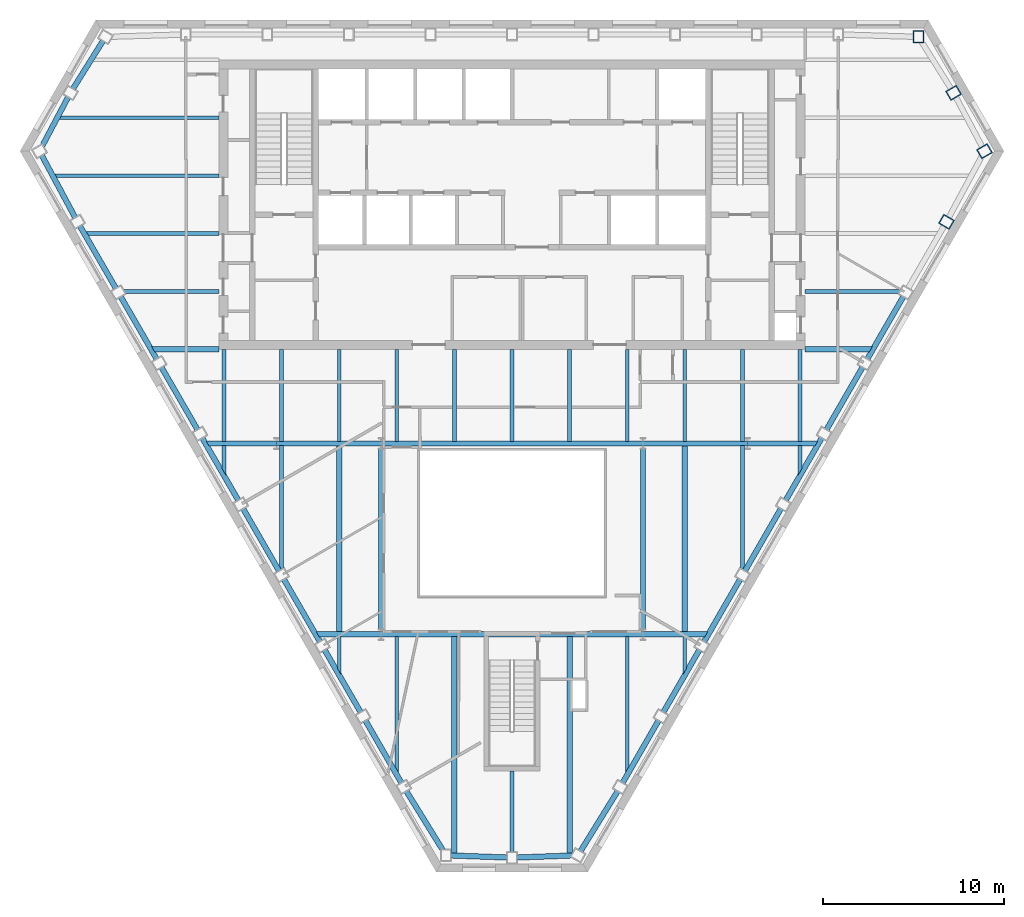
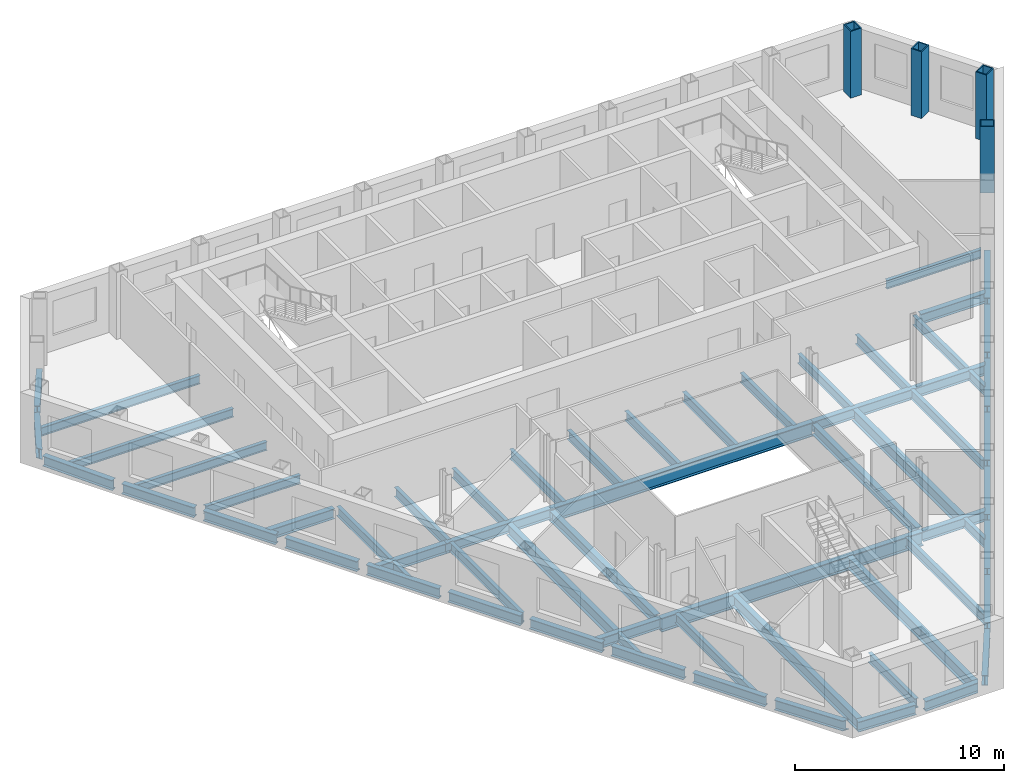
# One storey, part 2 of 10: 63 beams, 4 columns.
"""IFC4 building model written with IfcOpenShell, lengths in metres."""

from ifc_helpers import new_model, si_unit, direction, frame, origin, origin_2d, place, context, subcontext, project, spatial, hollow_rectangle, i_section, extrude, clip, halfspace, material, material_profile, profile_set, type_object, element, save


model = new_model("IFC4")

# Units and contexts
model_context = context("Model", 3, precision=1e-05, world=origin(), true_north=direction((0.0, 1.0)))
body_context = subcontext(model_context, "Body", "Model", "MODEL_VIEW")
ifc_project = project(units=[si_unit("LENGTHUNIT", "METRE"), si_unit("AREAUNIT", "SQUARE_METRE"), si_unit("VOLUMEUNIT", "CUBIC_METRE"), si_unit("PLANEANGLEUNIT", "RADIAN"), si_unit("MASSUNIT", "GRAM", prefix="KILO")], contexts=[model_context])

# Site, building, storey
site_placement = place(None, origin())
site = spatial("IfcSite", under=ifc_project, at=site_placement, CompositionType="ELEMENT")
building_placement = place(site_placement, origin())
building = spatial("IfcBuilding", under=site, at=building_placement, Name="Njiva Tower", CompositionType="ELEMENT")
storey_placement = place(building_placement, frame((0.0, 0.0, 171.0)))
storey = spatial("IfcBuildingStorey", under=building, at=storey_placement, Name="L37", CompositionType="ELEMENT", Elevation=171.0)

# Columns
ifc_material = material(Name="Steel S355 J2", Category="steel")
ifc_material_profile_1 = material_profile(ifc_material, hollow_rectangle(XDim=0.6, YDim=0.7, WallThickness=0.06, at=origin_2d()), Name="BOX 700x600x60")
ifc_profile_set_1 = profile_set([ifc_material_profile_1], Name="Steel S355 J2")
column_type = type_object("IfcColumnType", Name="C9 Perimeter tube column BOX 700x600x60", PredefinedType="COLUMN", material=ifc_profile_set_1)
for number, where, z_axis, x_axis, name in (
    (1, (22.461, 19.267, 0.0), (0.0, 0.0, 1.0), (-1.0, 0.0, 0.0), "Perimeter tube column S12-C01"),
    (2, (24.007, 9.048, 0.0), (0.0, 0.0, 1.0), (0.5, 0.866025403784, 0.0), "Perimeter tube column S12-C34"),
    (3, (26.108, 12.951, 0.0), (0.0, 0.0, 1.0), (-0.5, 0.866025403784, 0.0), "Perimeter tube column S12-C35"),
    (4, (24.4, 16.176, 0.0), (0.0, 0.0, 1.0), (-0.5, 0.866025403784, 0.0), "Perimeter tube column S12-C36"),
):
    element("IfcColumn", number, at=place(storey_placement, frame(where, z_axis=z_axis, x_axis=x_axis)), inside=storey, type_object=column_type, Name=name, PredefinedType="COLUMN", context=body_context, shape_type="SweptSolid", body=[
        extrude(hollow_rectangle(XDim=0.6, YDim=0.7, WallThickness=0.06, at=origin_2d()), origin(), (0.0, 0.0, 1.0), 3.9),
    ])

# Beams
ifc_material_profile_2 = material_profile(ifc_material, i_section(OverallWidth=0.3, OverallDepth=0.69, WebThickness=0.0145, FlangeThickness=0.027, at=origin_2d()), Name="HEA 700")
ifc_profile_set_2 = profile_set([ifc_material_profile_2], Name="Steel S355 J2")
beam_type_1 = type_object("IfcBeamType", Name="B12 Long-span floor joist HEA 700", PredefinedType="JOIST", material=ifc_profile_set_2)
beam_1_placement = place(storey_placement, frame((-9.55, -3.3, -0.545), z_axis=(0.0, -1.0, 0.0), x_axis=(1.0, 0.0, 0.0)))
element("IfcBeam", 5, at=beam_1_placement, inside=storey, type_object=beam_type_1, Name="Long-span floor joist S12-B057", PredefinedType="JOIST", context=body_context, shape_type="SweptSolid", body=[
    extrude(i_section(OverallWidth=0.3, OverallDepth=0.69, WebThickness=0.0145, FlangeThickness=0.027, at=origin_2d()), origin(), (0.0, 0.0, 1.0), 10.35),
])
for number, where, z_axis, x_axis, name in (
    (6, (-3.183, -13.851, -0.545), (0.0, -1.0, 0.0), (1.0, 0.0, 0.0), "Long-span floor joist S12-B061"),
    (7, (3.183, -13.851, -0.545), (0.0, -1.0, 0.0), (1.0, 0.0, 0.0), "Long-span floor joist S12-B066"),
):
    element("IfcBeam", number, at=place(storey_placement, frame(where, z_axis=z_axis, x_axis=x_axis)), inside=storey, type_object=beam_type_1, Name=name, PredefinedType="JOIST", context=body_context, shape_type="SweptSolid", body=[
        extrude(i_section(OverallWidth=0.3, OverallDepth=0.69, WebThickness=0.0145, FlangeThickness=0.027, at=origin_2d()), origin(), (0.0, 0.0, 1.0), 12.016),
    ])
beam_2_placement = place(storey_placement, frame((9.55, -3.3, -0.545), z_axis=(0.0, -1.0, 0.0), x_axis=(1.0, 0.0, 0.0)))
element("IfcBeam", 8, at=beam_2_placement, inside=storey, type_object=beam_type_1, Name="Long-span floor joist S12-B071", PredefinedType="JOIST", context=body_context, shape_type="SweptSolid", body=[
    extrude(i_section(OverallWidth=0.3, OverallDepth=0.69, WebThickness=0.0145, FlangeThickness=0.027, at=origin_2d()), origin(), (0.0, 0.0, 1.0), 10.35),
])
ifc_material_profile_3 = material_profile(ifc_material, i_section(OverallWidth=0.2, OverallDepth=0.5, WebThickness=0.0102, FlangeThickness=0.016, at=origin_2d()), Name="IPE 500")
ifc_profile_set_3 = profile_set([ifc_material_profile_3], Name="Steel S355 J2")
beam_type_2 = type_object("IfcBeamType", Name="B24 Floor beam to the core IPE 500", PredefinedType="BEAM", material=ifc_profile_set_3)
beam_3_placement = place(storey_placement, frame((-21.518, 5.2, -0.45), z_axis=(1.0, 0.0, 0.0), x_axis=(0.0, 1.0, 0.0)))
element("IfcBeam", 9, at=beam_3_placement, inside=storey, type_object=beam_type_2, Name="Floor beam to the core S12-B006", PredefinedType="BEAM", context=body_context, shape_type="Clipping", body=[
    clip(extrude(i_section(OverallWidth=0.2, OverallDepth=0.5, WebThickness=0.0102, FlangeThickness=0.016, at=origin_2d()), origin(), (0.0, 0.0, 1.0), 5.318), halfspace(frame((-0.025, 0.0, 0.0925), z_axis=(-0.499998009787, 0.0, -0.866026552831), x_axis=(0.0, -1.0, 0.0)), False)),
])
beam_4_placement = place(storey_placement, frame((16.2, 5.2, -0.45), z_axis=(1.0, 0.0, 0.0), x_axis=(0.0, 1.0, 0.0)))
element("IfcBeam", 10, at=beam_4_placement, inside=storey, type_object=beam_type_2, Name="Floor beam to the core S12-B007", PredefinedType="BEAM", context=body_context, shape_type="Clipping", body=[
    clip(extrude(i_section(OverallWidth=0.2, OverallDepth=0.5, WebThickness=0.0102, FlangeThickness=0.016, at=origin_2d()), origin(), (0.0, 0.0, 1.0), 5.318), halfspace(frame((-0.025, 0.0, 5.2255), z_axis=(-0.499998009787, 0.0, 0.866026552831), x_axis=(0.0, 1.0, 0.0)), False)),
])
beam_5_placement = place(storey_placement, frame((-23.596, 8.4, -0.45), z_axis=(1.0, 0.0, 0.0), x_axis=(0.0, 1.0, 0.0)))
element("IfcBeam", 11, at=beam_5_placement, inside=storey, type_object=beam_type_2, Name="Floor beam to the core S12-B003", PredefinedType="BEAM", context=body_context, shape_type="Clipping", body=[
    clip(extrude(i_section(OverallWidth=0.2, OverallDepth=0.5, WebThickness=0.0102, FlangeThickness=0.016, at=origin_2d()), origin(), (0.0, 0.0, 1.0), 7.396), halfspace(frame((-0.025, 0.0, 0.0924), z_axis=(-0.499998009787, 0.0, -0.866026552831), x_axis=(0.0, -1.0, 0.0)), False)),
])
beam_6_placement = place(storey_placement, frame((-25.341, 11.6, -0.45), z_axis=(1.0, 0.0, 0.0), x_axis=(0.0, 1.0, 0.0)))
element("IfcBeam", 12, at=beam_6_placement, inside=storey, type_object=beam_type_2, Name="Floor beam to the core S12-B001", PredefinedType="BEAM", context=body_context, shape_type="Clipping", body=[
    clip(extrude(i_section(OverallWidth=0.2, OverallDepth=0.5, WebThickness=0.0102, FlangeThickness=0.016, at=origin_2d()), origin(), (0.0, 0.0, 1.0), 9.141), halfspace(frame((-0.0237, 0.0, 0.0868), z_axis=(-0.473769423091, 0.0, -0.880648927634), x_axis=(0.0, -1.0, 0.0)), False)),
])
beam_7_placement = place(storey_placement, frame((-25.088, 14.8, -0.45), z_axis=(1.0, 0.0, 0.0), x_axis=(0.0, 1.0, 0.0)))
element("IfcBeam", 13, at=beam_7_placement, inside=storey, type_object=beam_type_2, Name="Floor beam to the core S12-B002", PredefinedType="BEAM", context=body_context, shape_type="Clipping", body=[
    clip(extrude(i_section(OverallWidth=0.2, OverallDepth=0.5, WebThickness=0.0102, FlangeThickness=0.016, at=origin_2d()), origin(), (0.0, 0.0, 1.0), 8.888), halfspace(frame((0.0234, 0.0, 0.0852), z_axis=(0.468070575493, 0.0, -0.883691086499), x_axis=(0.0, -1.0, 0.0)), False)),
])
ifc_material_profile_4 = material_profile(ifc_material, i_section(OverallWidth=0.3, OverallDepth=0.59, WebThickness=0.013, FlangeThickness=0.025, at=origin_2d()), Name="HEA 600")
ifc_profile_set_4 = profile_set([ifc_material_profile_4], Name="Steel S355 J2")
beam_type_3 = type_object("IfcBeamType", Name="B27 Short-span spandrel beam HEA 600", PredefinedType="SPANDREL", material=ifc_profile_set_4)
beam_8_placement = place(storey_placement, frame((-22.597, 19.051, -0.495), z_axis=(-0.531172745226, -0.847263545025, 0.0), x_axis=(0.847263545025, -0.531172745226, 0.0)))
element("IfcBeam", 14, at=beam_8_placement, inside=storey, type_object=beam_type_3, Name="Short-span spandrel beam S12-B090", PredefinedType="SPANDREL", context=body_context, shape_type="SweptSolid", body=[
    extrude(i_section(OverallWidth=0.3, OverallDepth=0.59, WebThickness=0.013, FlangeThickness=0.025, at=origin_2d()), origin(), (0.0, 0.0, 1.0), 3.1383),
])
beam_9_placement = place(storey_placement, frame((-24.519, 15.951, -0.495), z_axis=(-0.468008604857, -0.883723908118, 0.0), x_axis=(0.883723908118, -0.468008604857, 0.0)))
element("IfcBeam", 15, at=beam_9_placement, inside=storey, type_object=beam_type_3, Name="Short-span spandrel beam S12-B087", PredefinedType="SPANDREL", context=body_context, shape_type="Clipping", body=[
    clip(extrude(i_section(OverallWidth=0.3, OverallDepth=0.59, WebThickness=0.013, FlangeThickness=0.025, at=origin_2d()), origin(), (0.0, 0.0, 1.0), 3.1545), halfspace(frame((-0.0265, 0.0, 3.0243), z_axis=(-0.53132499881, 0.0, 0.84716807402), x_axis=(0.0, 1.0, 0.0)), False)),
])
beam_10_placement = place(storey_placement, frame((-25.987, 12.728, -0.495), z_axis=(0.473613588101, -0.880732745597, 0.0), x_axis=(0.880732745597, 0.473613588101, 0.0)))
element("IfcBeam", 16, at=beam_10_placement, inside=storey, type_object=beam_type_3, Name="Short-span spandrel beam S12-B086", PredefinedType="SPANDREL", context=body_context, shape_type="SweptSolid", body=[
    extrude(i_section(OverallWidth=0.3, OverallDepth=0.59, WebThickness=0.013, FlangeThickness=0.025, at=origin_2d()), origin(), (0.0, 0.0, 1.0), 3.9251),
])
beam_11_placement = place(storey_placement, frame((-23.882, 8.831, -0.495), z_axis=(0.499924104568, -0.866069217599, 0.0), x_axis=(0.866069217599, 0.499924104568, 0.0)))
element("IfcBeam", 17, at=beam_11_placement, inside=storey, type_object=beam_type_3, Name="Short-span spandrel beam S12-B091", PredefinedType="SPANDREL", context=body_context, shape_type="SweptSolid", body=[
    extrude(i_section(OverallWidth=0.3, OverallDepth=0.59, WebThickness=0.013, FlangeThickness=0.025, at=origin_2d()), origin(), (0.0, 0.0, 1.0), 4.0066),
])
for number, where, z_axis, x_axis, name in (
    (18, (-21.629, 4.928, -0.495), (0.500003221507, -0.866023543838, 0.0), (0.866023543838, 0.500003221507, 0.0), "Short-span spandrel beam S12-B095"),
    (19, (-19.375, 1.024, -0.495), (0.500003221507, -0.866023543838, 0.0), (0.866023543838, 0.500003221507, 0.0), "Short-span spandrel beam S12-B097"),
    (20, (-17.121, -2.88, -0.495), (0.500003221507, -0.866023543838, 0.0), (0.866023543838, 0.500003221507, 0.0), "Short-span spandrel beam S12-B100"),
    (21, (-14.867, -6.784, -0.495), (0.500003221507, -0.866023543838, 0.0), (0.866023543838, 0.500003221507, 0.0), "Short-span spandrel beam S12-B102"),
):
    element("IfcBeam", number, at=place(storey_placement, frame(where, z_axis=z_axis, x_axis=x_axis)), inside=storey, type_object=beam_type_3, Name=name, PredefinedType="SPANDREL", context=body_context, shape_type="SweptSolid", body=[
        extrude(i_section(OverallWidth=0.3, OverallDepth=0.59, WebThickness=0.013, FlangeThickness=0.025, at=origin_2d()), origin(), (0.0, 0.0, 1.0), 4.008),
    ])
beam_12_placement = place(storey_placement, frame((-12.613, -10.688, -0.495), z_axis=(0.499924104568, -0.866069217599, 0.0), x_axis=(0.866069217599, 0.499924104568, 0.0)))
element("IfcBeam", 22, at=beam_12_placement, inside=storey, type_object=beam_type_3, Name="Short-span spandrel beam S12-B105", PredefinedType="SPANDREL", context=body_context, shape_type="SweptSolid", body=[
    extrude(i_section(OverallWidth=0.3, OverallDepth=0.59, WebThickness=0.013, FlangeThickness=0.025, at=origin_2d()), origin(), (0.0, 0.0, 1.0), 4.0066),
])
beam_13_placement = place(storey_placement, frame((-10.36, -14.591, -0.495), z_axis=(0.500003221507, -0.866023543838, 0.0), x_axis=(0.866023543838, 0.500003221507, 0.0)))
element("IfcBeam", 23, at=beam_13_placement, inside=storey, type_object=beam_type_3, Name="Short-span spandrel beam S12-B107", PredefinedType="SPANDREL", context=body_context, shape_type="SweptSolid", body=[
    extrude(i_section(OverallWidth=0.3, OverallDepth=0.59, WebThickness=0.013, FlangeThickness=0.025, at=origin_2d()), origin(), (0.0, 0.0, 1.0), 4.008),
])
beam_14_placement = place(storey_placement, frame((-8.106, -18.494, -0.495), z_axis=(0.499895202697, -0.866085900082, 0.0), x_axis=(0.866085900082, 0.499895202697, 0.0)))
element("IfcBeam", 24, at=beam_14_placement, inside=storey, type_object=beam_type_3, Name="Short-span spandrel beam S12-B111", PredefinedType="SPANDREL", context=body_context, shape_type="SweptSolid", body=[
    extrude(i_section(OverallWidth=0.3, OverallDepth=0.59, WebThickness=0.013, FlangeThickness=0.025, at=origin_2d()), origin(), (0.0, 0.0, 1.0), 4.0088),
])
beam_15_placement = place(storey_placement, frame((-5.844, -22.398, -0.495), z_axis=(0.525787720345, -0.850615819941, 0.0), x_axis=(0.850615819941, 0.525787720345, 0.0)))
element("IfcBeam", 25, at=beam_15_placement, inside=storey, type_object=beam_type_3, Name="Short-span spandrel beam S12-B113", PredefinedType="SPANDREL", context=body_context, shape_type="Clipping", body=[
    clip(extrude(i_section(OverallWidth=0.3, OverallDepth=0.59, WebThickness=0.013, FlangeThickness=0.025, at=origin_2d()), origin(), (0.0, 0.0, 1.0), 3.9396), halfspace(frame((-0.0259, 0.0, 3.8107), z_axis=(-0.525787720345, 0.0, 0.850615819941), x_axis=(0.0, 1.0, 0.0)), False)),
])
beam_16_placement = place(storey_placement, frame((-3.391, -25.962, -0.495), z_axis=(0.999328299253, -0.036646286484, 0.0), x_axis=(0.036646286484, 0.999328299253, 0.0)))
element("IfcBeam", 26, at=beam_16_placement, inside=storey, type_object=beam_type_3, Name="Short-span spandrel beam S12-B117", PredefinedType="SPANDREL", context=body_context, shape_type="SweptSolid", body=[
    extrude(i_section(OverallWidth=0.3, OverallDepth=0.59, WebThickness=0.013, FlangeThickness=0.025, at=origin_2d()), origin(), (0.0, 0.0, 1.0), 3.1381),
])
beam_17_placement = place(storey_placement, frame((0.255, -26.077, -0.495), z_axis=(0.999332745469, 0.036524838573, 0.0), x_axis=(-0.036524838573, 0.999332745469, 0.0)))
element("IfcBeam", 27, at=beam_17_placement, inside=storey, type_object=beam_type_3, Name="Short-span spandrel beam S12-B118", PredefinedType="SPANDREL", context=body_context, shape_type="Clipping", body=[
    clip(extrude(i_section(OverallWidth=0.3, OverallDepth=0.59, WebThickness=0.013, FlangeThickness=0.025, at=origin_2d()), origin(), (0.0, 0.0, 1.0), 3.153), halfspace(frame((-0.0262, 0.0, 3.0227), z_axis=(-0.531295863892, 0.0, 0.847186346096), x_axis=(0.0, 1.0, 0.0)), False)),
])
beam_18_placement = place(storey_placement, frame((3.78, -25.737, -0.495), z_axis=(0.525801990436, 0.850606999062, 0.0), x_axis=(-0.850606999062, 0.525801990436, 0.0)))
element("IfcBeam", 28, at=beam_18_placement, inside=storey, type_object=beam_type_3, Name="Short-span spandrel beam S12-B122", PredefinedType="SPANDREL", context=body_context, shape_type="SweptSolid", body=[
    extrude(i_section(OverallWidth=0.3, OverallDepth=0.59, WebThickness=0.013, FlangeThickness=0.025, at=origin_2d()), origin(), (0.0, 0.0, 1.0), 3.9254),
])
beam_19_placement = place(storey_placement, frame((6.102, -21.966, -0.495), z_axis=(0.499895202697, 0.866085900082, 0.0), x_axis=(-0.866085900082, 0.499895202697, 0.0)))
element("IfcBeam", 29, at=beam_19_placement, inside=storey, type_object=beam_type_3, Name="Short-span spandrel beam S12-B126", PredefinedType="SPANDREL", context=body_context, shape_type="SweptSolid", body=[
    extrude(i_section(OverallWidth=0.3, OverallDepth=0.59, WebThickness=0.013, FlangeThickness=0.025, at=origin_2d()), origin(), (0.0, 0.0, 1.0), 4.0088),
])
beam_20_placement = place(storey_placement, frame((8.356, -18.062, -0.495), z_axis=(0.500003221507, 0.866023543838, 0.0), x_axis=(-0.866023543838, 0.500003221507, 0.0)))
element("IfcBeam", 30, at=beam_20_placement, inside=storey, type_object=beam_type_3, Name="Short-span spandrel beam S12-B128", PredefinedType="SPANDREL", context=body_context, shape_type="SweptSolid", body=[
    extrude(i_section(OverallWidth=0.3, OverallDepth=0.59, WebThickness=0.013, FlangeThickness=0.025, at=origin_2d()), origin(), (0.0, 0.0, 1.0), 4.008),
])
beam_21_placement = place(storey_placement, frame((10.61, -14.158, -0.495), z_axis=(0.499924104568, 0.866069217599, 0.0), x_axis=(-0.866069217599, 0.499924104568, 0.0)))
element("IfcBeam", 31, at=beam_21_placement, inside=storey, type_object=beam_type_3, Name="Short-span spandrel beam S12-B131", PredefinedType="SPANDREL", context=body_context, shape_type="SweptSolid", body=[
    extrude(i_section(OverallWidth=0.3, OverallDepth=0.59, WebThickness=0.013, FlangeThickness=0.025, at=origin_2d()), origin(), (0.0, 0.0, 1.0), 4.0066),
])
for number, where, z_axis, x_axis, name in (
    (32, (12.863, -10.255, -0.495), (0.500003221507, 0.866023543838, 0.0), (-0.866023543838, 0.500003221507, 0.0), "Short-span spandrel beam S12-B133"),
    (33, (15.117, -6.351, -0.495), (0.500003221507, 0.866023543838, 0.0), (-0.866023543838, 0.500003221507, 0.0), "Short-span spandrel beam S12-B136"),
    (34, (17.371, -2.447, -0.495), (0.500003221507, 0.866023543838, 0.0), (-0.866023543838, 0.500003221507, 0.0), "Short-span spandrel beam S12-B138"),
    (35, (19.625, 1.457, -0.495), (0.500003221507, 0.866023543838, 0.0), (-0.866023543838, 0.500003221507, 0.0), "Short-span spandrel beam S12-B142"),
):
    element("IfcBeam", number, at=place(storey_placement, frame(where, z_axis=z_axis, x_axis=x_axis)), inside=storey, type_object=beam_type_3, Name=name, PredefinedType="SPANDREL", context=body_context, shape_type="SweptSolid", body=[
        extrude(i_section(OverallWidth=0.3, OverallDepth=0.59, WebThickness=0.013, FlangeThickness=0.025, at=origin_2d()), origin(), (0.0, 0.0, 1.0), 4.008),
    ])
ifc_material_profile_5 = material_profile(ifc_material, i_section(OverallWidth=0.3, OverallDepth=0.59, WebThickness=0.013, FlangeThickness=0.025, at=origin_2d()), Name="HEA 600")
ifc_profile_set_5 = profile_set([ifc_material_profile_5], Name="Steel S355 J2")
beam_type_4 = type_object("IfcBeamType", Name="B28 Floor girder HEA 600", PredefinedType="BEAM", material=ifc_profile_set_5)
for number, where, z_axis, x_axis, name in (
    (36, (-13.0, -3.2, -0.495), (1.0, 0.0, 0.0), (0.0, 1.0, 0.0), "Floor girder S12-B015"),
    (37, (7.24, -3.2, -0.495), (1.0, 0.0, 0.0), (0.0, 1.0, 0.0), "Floor girder S12-B018"),
):
    element("IfcBeam", number, at=place(storey_placement, frame(where, z_axis=z_axis, x_axis=x_axis)), inside=storey, type_object=beam_type_4, Name=name, PredefinedType="BEAM", context=body_context, shape_type="SweptSolid", body=[
        extrude(i_section(OverallWidth=0.3, OverallDepth=0.59, WebThickness=0.013, FlangeThickness=0.025, at=origin_2d()), origin(), (0.0, 0.0, 1.0), 5.76),
    ])
ifc_material_profile_6 = material_profile(ifc_material, i_section(OverallWidth=0.3, OverallDepth=0.59, WebThickness=0.013, FlangeThickness=0.025, at=origin_2d()), Name="HEA 600")
ifc_profile_set_6 = profile_set([ifc_material_profile_6], Name="Steel S355 J2")
beam_type_5 = type_object("IfcBeamType", Name="B29 Short-span floor girder HEA 600", PredefinedType="BEAM", material=ifc_profile_set_6)
beam_22_placement = place(storey_placement, frame((-16.928, -3.2, -0.495), z_axis=(1.0, 0.0, 0.0), x_axis=(0.0, 1.0, 0.0)))
element("IfcBeam", 38, at=beam_22_placement, inside=storey, type_object=beam_type_5, Name="Short-span floor girder S12-B014", PredefinedType="BEAM", context=body_context, shape_type="Clipping", body=[
    clip(extrude(i_section(OverallWidth=0.3, OverallDepth=0.59, WebThickness=0.013, FlangeThickness=0.025, at=origin_2d()), origin(), (0.0, 0.0, 1.0), 3.928), halfspace(frame((-0.025, 0.0, 0.1217), z_axis=(-0.499998009787, 0.0, -0.866026552831), x_axis=(0.0, -1.0, 0.0)), False)),
])
beam_23_placement = place(storey_placement, frame((13.0, -3.2, -0.495), z_axis=(1.0, 0.0, 0.0), x_axis=(0.0, 1.0, 0.0)))
element("IfcBeam", 39, at=beam_23_placement, inside=storey, type_object=beam_type_5, Name="Short-span floor girder S12-B019", PredefinedType="BEAM", context=body_context, shape_type="Clipping", body=[
    clip(extrude(i_section(OverallWidth=0.3, OverallDepth=0.59, WebThickness=0.013, FlangeThickness=0.025, at=origin_2d()), origin(), (0.0, 0.0, 1.0), 3.928), halfspace(frame((-0.025, 0.0, 3.8063), z_axis=(-0.499998009787, 0.0, 0.866026552831), x_axis=(0.0, 1.0, 0.0)), False)),
])
beam_24_placement = place(storey_placement, frame((-10.837, -13.75, -0.495), z_axis=(1.0, 0.0, 0.0), x_axis=(0.0, 1.0, 0.0)))
element("IfcBeam", 40, at=beam_24_placement, inside=storey, type_object=beam_type_5, Name="Short-span floor girder S12-B016", PredefinedType="BEAM", context=body_context, shape_type="Clipping", body=[
    clip(extrude(i_section(OverallWidth=0.3, OverallDepth=0.59, WebThickness=0.013, FlangeThickness=0.025, at=origin_2d()), origin(), (0.0, 0.0, 1.0), 3.597), halfspace(frame((-0.025, 0.0, 0.1217), z_axis=(-0.499998009787, 0.0, -0.866026552831), x_axis=(0.0, -1.0, 0.0)), False)),
])
beam_25_placement = place(storey_placement, frame((7.24, -13.75, -0.495), z_axis=(1.0, 0.0, 0.0), x_axis=(0.0, 1.0, 0.0)))
element("IfcBeam", 41, at=beam_25_placement, inside=storey, type_object=beam_type_5, Name="Short-span floor girder S12-B017", PredefinedType="BEAM", context=body_context, shape_type="Clipping", body=[
    clip(extrude(i_section(OverallWidth=0.3, OverallDepth=0.59, WebThickness=0.013, FlangeThickness=0.025, at=origin_2d()), origin(), (0.0, 0.0, 1.0), 3.597), halfspace(frame((-0.025, 0.0, 3.4753), z_axis=(-0.499998009787, 0.0, 0.866026552831), x_axis=(0.0, 1.0, 0.0)), False)),
])
beam_26_placement = place(storey_placement, frame((-19.93, 2.0, -0.495), z_axis=(1.0, 0.0, 0.0), x_axis=(0.0, 1.0, 0.0)))
element("IfcBeam", 42, at=beam_26_placement, inside=storey, type_object=beam_type_5, Name="Short-span floor girder S12-B013", PredefinedType="BEAM", context=body_context, shape_type="Clipping", body=[
    clip(extrude(i_section(OverallWidth=0.3, OverallDepth=0.59, WebThickness=0.013, FlangeThickness=0.025, at=origin_2d()), origin(), (0.0, 0.0, 1.0), 3.73), halfspace(frame((-0.025, 0.0, 0.1214), z_axis=(-0.499998009787, 0.0, -0.866026552831), x_axis=(0.0, -1.0, 0.0)), False)),
])
beam_27_placement = place(storey_placement, frame((16.2, 2.0, -0.495), z_axis=(1.0, 0.0, 0.0), x_axis=(0.0, 1.0, 0.0)))
element("IfcBeam", 43, at=beam_27_placement, inside=storey, type_object=beam_type_5, Name="Short-span floor girder S12-B020", PredefinedType="BEAM", context=body_context, shape_type="Clipping", body=[
    clip(extrude(i_section(OverallWidth=0.3, OverallDepth=0.59, WebThickness=0.013, FlangeThickness=0.025, at=origin_2d()), origin(), (0.0, 0.0, 1.0), 3.73), halfspace(frame((-0.025, 0.0, 3.6086), z_axis=(-0.499998009787, 0.0, 0.866026552831), x_axis=(0.0, 1.0, 0.0)), False)),
])
ifc_material_profile_7 = material_profile(ifc_material, i_section(OverallWidth=0.3, OverallDepth=0.59, WebThickness=0.013, FlangeThickness=0.025, at=origin_2d()), Name="HEA 600")
ifc_profile_set_7 = profile_set([ifc_material_profile_7], Name="Steel S355 J2")
beam_type_6 = type_object("IfcBeamType", Name="B30 Long-span atrium trimmer beam HEA 600", PredefinedType="BEAM", material=ifc_profile_set_7)
for number, where, z_axis, x_axis, name in (
    (44, (7.24, -13.49, -0.495), (0.0, 1.0, 0.0), (-1.0, 0.0, 0.0), "Long-span atrium trimmer beam S12-B084"),
    (45, (-7.24, -3.46, -0.495), (0.0, -1.0, 0.0), (1.0, 0.0, 0.0), "Long-span atrium trimmer beam S12-B081"),
):
    element("IfcBeam", number, at=place(storey_placement, frame(where, z_axis=z_axis, x_axis=x_axis)), inside=storey, type_object=beam_type_6, Name=name, PredefinedType="BEAM", context=body_context, shape_type="SweptSolid", body=[
        extrude(i_section(OverallWidth=0.3, OverallDepth=0.59, WebThickness=0.013, FlangeThickness=0.025, at=origin_2d()), origin(), (0.0, 0.0, 1.0), 10.03),
    ])
ifc_material_profile_8 = material_profile(ifc_material, i_section(OverallWidth=0.21, OverallDepth=0.55, WebThickness=0.0111, FlangeThickness=0.0172, at=origin_2d()), Name="IPE 550")
ifc_profile_set_8 = profile_set([ifc_material_profile_8], Name="Steel S355 J2")
beam_type_7 = type_object("IfcBeamType", Name="B31 Short-span floor joist IPE 550", PredefinedType="JOIST", material=ifc_profile_set_8)
beam_28_placement = place(storey_placement, frame((-15.917, -3.3, -0.475), z_axis=(0.0, -1.0, 0.0), x_axis=(1.0, 0.0, 0.0)))
element("IfcBeam", 46, at=beam_28_placement, inside=storey, type_object=beam_type_7, Name="Short-span floor joist S12-B051", PredefinedType="JOIST", context=body_context, shape_type="Clipping", body=[
    clip(extrude(i_section(OverallWidth=0.21, OverallDepth=0.55, WebThickness=0.0111, FlangeThickness=0.0172, at=origin_2d()), origin(), (0.0, 0.0, 1.0), 1.668), halfspace(frame((-0.043, 0.0, 1.391), z_axis=(-0.866026552831, 0.0, 0.499998009787), x_axis=(0.0, 1.0, 0.0)), False)),
])
beam_29_placement = place(storey_placement, frame((-9.55, -13.85, -0.475), z_axis=(0.0, -1.0, 0.0), x_axis=(1.0, 0.0, 0.0)))
element("IfcBeam", 47, at=beam_29_placement, inside=storey, type_object=beam_type_7, Name="Short-span floor joist S12-B056", PredefinedType="JOIST", context=body_context, shape_type="Clipping", body=[
    clip(extrude(i_section(OverallWidth=0.21, OverallDepth=0.55, WebThickness=0.0111, FlangeThickness=0.0172, at=origin_2d()), origin(), (0.0, 0.0, 1.0), 2.145), halfspace(frame((-0.0433, 0.0, 1.8683), z_axis=(-0.866026552831, 0.0, 0.499998009787), x_axis=(0.0, 1.0, 0.0)), False)),
])
beam_30_placement = place(storey_placement, frame((0.0, -21.3, -0.475), z_axis=(0.0, -1.0, 0.0), x_axis=(1.0, 0.0, 0.0)))
element("IfcBeam", 48, at=beam_30_placement, inside=storey, type_object=beam_type_7, Name="Short-span floor joist S12-B064", PredefinedType="JOIST", context=body_context, shape_type="SweptSolid", body=[
    extrude(i_section(OverallWidth=0.21, OverallDepth=0.55, WebThickness=0.0111, FlangeThickness=0.0172, at=origin_2d()), origin(), (0.0, 0.0, 1.0), 4.486),
])
beam_31_placement = place(storey_placement, frame((9.55, -13.85, -0.475), z_axis=(0.0, -1.0, 0.0), x_axis=(1.0, 0.0, 0.0)))
element("IfcBeam", 49, at=beam_31_placement, inside=storey, type_object=beam_type_7, Name="Short-span floor joist S12-B070", PredefinedType="JOIST", context=body_context, shape_type="Clipping", body=[
    clip(extrude(i_section(OverallWidth=0.21, OverallDepth=0.55, WebThickness=0.0111, FlangeThickness=0.0172, at=origin_2d()), origin(), (0.0, 0.0, 1.0), 2.145), halfspace(frame((0.0433, 0.0, 1.8683), z_axis=(0.866026552831, 0.0, 0.499998009787), x_axis=(0.0, 1.0, 0.0)), False)),
])
beam_32_placement = place(storey_placement, frame((15.917, -3.3, -0.475), z_axis=(0.0, -1.0, 0.0), x_axis=(1.0, 0.0, 0.0)))
element("IfcBeam", 50, at=beam_32_placement, inside=storey, type_object=beam_type_7, Name="Short-span floor joist S12-B076", PredefinedType="JOIST", context=body_context, shape_type="Clipping", body=[
    clip(extrude(i_section(OverallWidth=0.21, OverallDepth=0.55, WebThickness=0.0111, FlangeThickness=0.0172, at=origin_2d()), origin(), (0.0, 0.0, 1.0), 1.668), halfspace(frame((0.043, 0.0, 1.391), z_axis=(0.866026552831, 0.0, 0.499998009787), x_axis=(0.0, 1.0, 0.0)), False)),
])
ifc_material_profile_9 = material_profile(ifc_material, i_section(OverallWidth=0.21, OverallDepth=0.55, WebThickness=0.0111, FlangeThickness=0.0172, at=origin_2d()), Name="IPE 550")
ifc_profile_set_9 = profile_set([ifc_material_profile_9], Name="Steel S355 J2")
beam_type_8 = type_object("IfcBeamType", Name="B32 Floor joist IPE 550", PredefinedType="JOIST", material=ifc_profile_set_9)
for number, where, z_axis, x_axis, name in (
    (51, (-15.917, 1.995, -0.475), (0.0, -1.0, 0.0), (1.0, 0.0, 0.0), "Floor joist S12-B052"),
    (52, (-12.733, 1.995, -0.475), (0.0, -1.0, 0.0), (1.0, 0.0, 0.0), "Floor joist S12-B055"),
):
    element("IfcBeam", number, at=place(storey_placement, frame(where, z_axis=z_axis, x_axis=x_axis)), inside=storey, type_object=beam_type_8, Name=name, PredefinedType="JOIST", context=body_context, shape_type="SweptSolid", body=[
        extrude(i_section(OverallWidth=0.21, OverallDepth=0.55, WebThickness=0.0111, FlangeThickness=0.0172, at=origin_2d()), origin(), (0.0, 0.0, 1.0), 5.095),
    ])
beam_33_placement = place(storey_placement, frame((-12.733, -3.3, -0.475), z_axis=(0.0, -1.0, 0.0), x_axis=(1.0, 0.0, 0.0)))
element("IfcBeam", 53, at=beam_33_placement, inside=storey, type_object=beam_type_8, Name="Floor joist S12-B054", PredefinedType="JOIST", context=body_context, shape_type="Clipping", body=[
    clip(extrude(i_section(OverallWidth=0.21, OverallDepth=0.55, WebThickness=0.0111, FlangeThickness=0.0172, at=origin_2d()), origin(), (0.0, 0.0, 1.0), 6.961), halfspace(frame((0.0247, 0.0, 6.8652), z_axis=(0.499998009787, 0.0, 0.866026552831), x_axis=(0.0, 1.0, 0.0)), False)),
])
beam_34_placement = place(storey_placement, frame((-9.55, 1.995, -0.475), z_axis=(0.0, -1.0, 0.0), x_axis=(1.0, 0.0, 0.0)))
element("IfcBeam", 54, at=beam_34_placement, inside=storey, type_object=beam_type_8, Name="Floor joist S12-B058", PredefinedType="JOIST", context=body_context, shape_type="SweptSolid", body=[
    extrude(i_section(OverallWidth=0.21, OverallDepth=0.55, WebThickness=0.0111, FlangeThickness=0.0172, at=origin_2d()), origin(), (0.0, 0.0, 1.0), 5.095),
])
beam_35_placement = place(storey_placement, frame((-6.367, 1.995, -0.475), z_axis=(0.0, -1.0, 0.0), x_axis=(1.0, 0.0, 0.0)))
element("IfcBeam", 55, at=beam_35_placement, inside=storey, type_object=beam_type_8, Name="Floor joist S12-B060", PredefinedType="JOIST", context=body_context, shape_type="SweptSolid", body=[
    extrude(i_section(OverallWidth=0.21, OverallDepth=0.55, WebThickness=0.0111, FlangeThickness=0.0172, at=origin_2d()), origin(), (0.0, 0.0, 1.0), 5.094),
])
beam_36_placement = place(storey_placement, frame((-6.367, -13.851, -0.475), z_axis=(0.0, -1.0, 0.0), x_axis=(1.0, 0.0, 0.0)))
element("IfcBeam", 56, at=beam_36_placement, inside=storey, type_object=beam_type_8, Name="Floor joist S12-B059", PredefinedType="JOIST", context=body_context, shape_type="Clipping", body=[
    clip(extrude(i_section(OverallWidth=0.21, OverallDepth=0.55, WebThickness=0.0111, FlangeThickness=0.0172, at=origin_2d()), origin(), (0.0, 0.0, 1.0), 7.658), halfspace(frame((-0.043, 0.0, 7.381), z_axis=(-0.866026552831, 0.0, 0.499998009787), x_axis=(0.0, 1.0, 0.0)), False)),
])
for number, where, z_axis, x_axis, name in (
    (57, (-3.183, 1.995, -0.475), (0.0, -1.0, 0.0), (1.0, 0.0, 0.0), "Floor joist S12-B062"),
    (58, (0.0, 1.995, -0.475), (0.0, -1.0, 0.0), (1.0, 0.0, 0.0), "Floor joist S12-B065"),
    (59, (3.183, 1.995, -0.475), (0.0, -1.0, 0.0), (1.0, 0.0, 0.0), "Floor joist S12-B067"),
    (60, (6.367, 1.995, -0.475), (0.0, -1.0, 0.0), (1.0, 0.0, 0.0), "Floor joist S12-B069"),
):
    element("IfcBeam", number, at=place(storey_placement, frame(where, z_axis=z_axis, x_axis=x_axis)), inside=storey, type_object=beam_type_8, Name=name, PredefinedType="JOIST", context=body_context, shape_type="SweptSolid", body=[
        extrude(i_section(OverallWidth=0.21, OverallDepth=0.55, WebThickness=0.0111, FlangeThickness=0.0172, at=origin_2d()), origin(), (0.0, 0.0, 1.0), 5.094),
    ])
beam_37_placement = place(storey_placement, frame((6.367, -13.851, -0.475), z_axis=(0.0, -1.0, 0.0), x_axis=(1.0, 0.0, 0.0)))
element("IfcBeam", 61, at=beam_37_placement, inside=storey, type_object=beam_type_8, Name="Floor joist S12-B068", PredefinedType="JOIST", context=body_context, shape_type="Clipping", body=[
    clip(extrude(i_section(OverallWidth=0.21, OverallDepth=0.55, WebThickness=0.0111, FlangeThickness=0.0172, at=origin_2d()), origin(), (0.0, 0.0, 1.0), 7.658), halfspace(frame((0.043, 0.0, 7.381), z_axis=(0.866026552831, 0.0, 0.499998009787), x_axis=(0.0, 1.0, 0.0)), False)),
])
for number, where, z_axis, x_axis, name in (
    (62, (9.55, 1.995, -0.475), (0.0, -1.0, 0.0), (1.0, 0.0, 0.0), "Floor joist S12-B072"),
    (63, (12.733, 1.995, -0.475), (0.0, -1.0, 0.0), (1.0, 0.0, 0.0), "Floor joist S12-B075"),
):
    element("IfcBeam", number, at=place(storey_placement, frame(where, z_axis=z_axis, x_axis=x_axis)), inside=storey, type_object=beam_type_8, Name=name, PredefinedType="JOIST", context=body_context, shape_type="SweptSolid", body=[
        extrude(i_section(OverallWidth=0.21, OverallDepth=0.55, WebThickness=0.0111, FlangeThickness=0.0172, at=origin_2d()), origin(), (0.0, 0.0, 1.0), 5.095),
    ])
beam_38_placement = place(storey_placement, frame((12.733, -3.3, -0.475), z_axis=(0.0, -1.0, 0.0), x_axis=(1.0, 0.0, 0.0)))
element("IfcBeam", 64, at=beam_38_placement, inside=storey, type_object=beam_type_8, Name="Floor joist S12-B074", PredefinedType="JOIST", context=body_context, shape_type="Clipping", body=[
    clip(extrude(i_section(OverallWidth=0.21, OverallDepth=0.55, WebThickness=0.0111, FlangeThickness=0.0172, at=origin_2d()), origin(), (0.0, 0.0, 1.0), 6.961), halfspace(frame((-0.0247, 0.0, 6.8652), z_axis=(-0.499998009787, 0.0, 0.866026552831), x_axis=(0.0, 1.0, 0.0)), False)),
])
beam_39_placement = place(storey_placement, frame((15.917, 1.995, -0.475), z_axis=(0.0, -1.0, 0.0), x_axis=(1.0, 0.0, 0.0)))
element("IfcBeam", 65, at=beam_39_placement, inside=storey, type_object=beam_type_8, Name="Floor joist S12-B077", PredefinedType="JOIST", context=body_context, shape_type="SweptSolid", body=[
    extrude(i_section(OverallWidth=0.21, OverallDepth=0.55, WebThickness=0.0111, FlangeThickness=0.0172, at=origin_2d()), origin(), (0.0, 0.0, 1.0), 5.095),
])
ifc_material_profile_10 = material_profile(ifc_material, i_section(OverallWidth=0.303, OverallDepth=0.814, WebThickness=0.021, FlangeThickness=0.04, at=origin_2d()), Name="HEM 800")
ifc_profile_set_10 = profile_set([ifc_material_profile_10], Name="Steel S355 J2")
beam_type_9 = type_object("IfcBeamType", Name="B36 Long-span atrium trimmer beam HEM 800", PredefinedType="BEAM", material=ifc_profile_set_10)
for number, where, z_axis, x_axis, name in (
    (66, (-7.24, -13.75, -0.607), (1.0, 0.0, 0.0), (0.0, 1.0, 0.0), "Long-span atrium trimmer beam S12-B080"),
    (67, (7.24, -3.2, -0.607), (-1.0, 0.0, 0.0), (0.0, -1.0, 0.0), "Long-span atrium trimmer beam S12-B082"),
):
    element("IfcBeam", number, at=place(storey_placement, frame(where, z_axis=z_axis, x_axis=x_axis)), inside=storey, type_object=beam_type_9, Name=name, PredefinedType="BEAM", context=body_context, shape_type="SweptSolid", body=[
        extrude(i_section(OverallWidth=0.303, OverallDepth=0.814, WebThickness=0.021, FlangeThickness=0.04, at=origin_2d()), origin(), (0.0, 0.0, 1.0), 14.48),
    ])

save(model, "model.ifc")
